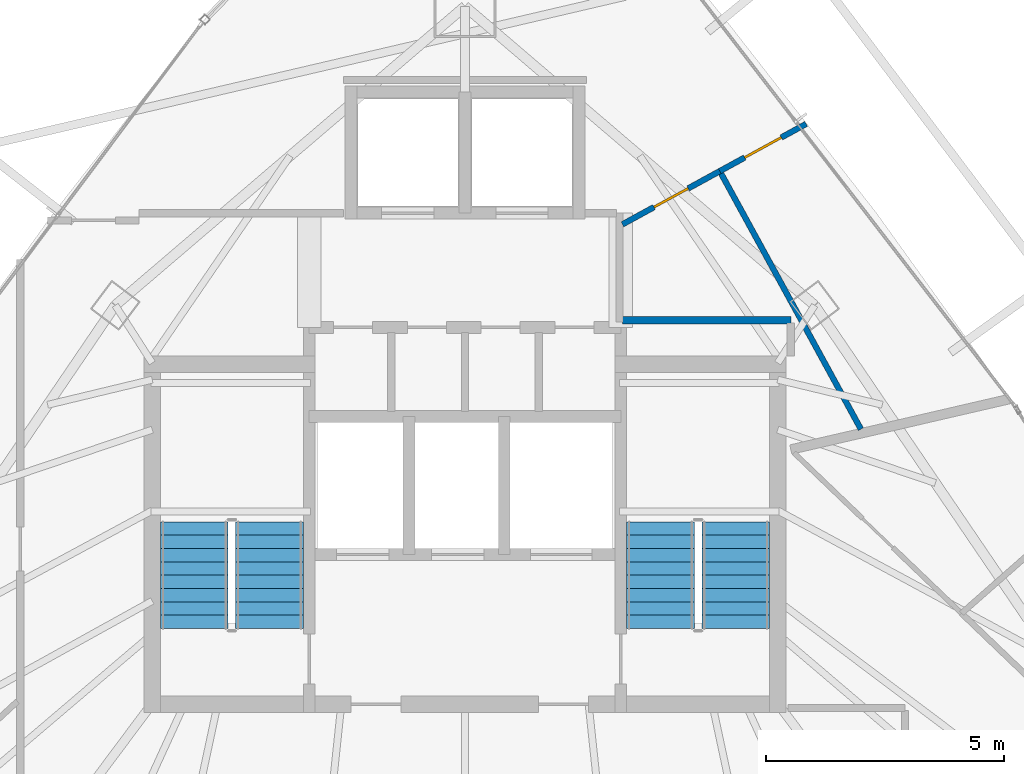
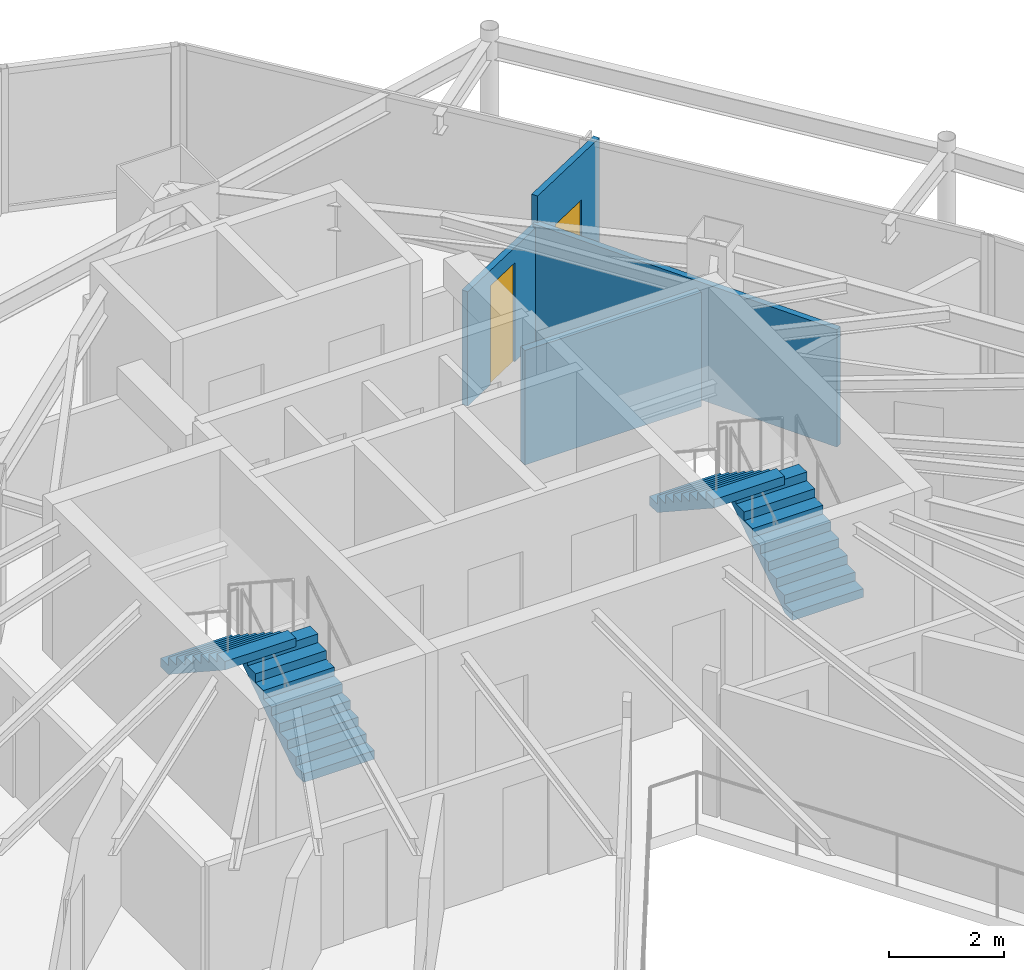
# One storey, part 29 of 32: 4 stair flights, 4 walls, 2 doors, 2 openings, 2 elements without a shape of their own.
"""IFC4 building model written with IfcOpenShell, lengths in metres."""

import ifcopenshell
import ifcopenshell.guid

model = None  # the IFC model being written
_history = None  # IfcOwnerHistory: only IFC2X3 demands one
_inside = {}  # id of a spatial element -> (the spatial element, [elements in it])
_under = {}  # id of a project, library or spatial element -> (it, [spatial elements below it])
_declared = {}  # id of a project -> (the project, [libraries it declares])
_typed = {}  # id of a type object -> (the type object, [elements of that type])
_made_of = {}  # id of a material, layer set ... -> (it, [elements and type objects made of it])


def new_model(schema):
    """Start an empty IFC model of exactly this schema.

    Asked for "IFC4X3", IfcOpenShell would pick the latest addendum, in which some entities
    have other attributes; the version numbers below select the first issue.
    IFC2X3 requires an IfcOwnerHistory on every rooted entity: one is made here for all.
    """
    global model, _history
    if schema == "IFC4X3":
        model = ifcopenshell.file(schema_version=(4, 3, 0, 0))
    else:
        model = ifcopenshell.file(schema=schema)
    _inside.clear()
    _under.clear()
    _declared.clear()
    _typed.clear()
    _made_of.clear()
    _history = None
    if model.schema == "IFC2X3":
        org = make("IfcOrganization", Name="unknown")
        user = make(
            "IfcPersonAndOrganization",
            ThePerson=make("IfcPerson", FamilyName="unknown"),
            TheOrganization=org,
        )
        app = make(
            "IfcApplication",
            ApplicationDeveloper=org,
            Version="unknown",
            ApplicationFullName="unknown",
            ApplicationIdentifier="unknown",
        )
        _history = make(
            "IfcOwnerHistory",
            OwningUser=user,
            OwningApplication=app,
            ChangeAction="ADDED",
            CreationDate=0,
        )
    return model


def make(cls, **values):
    """One entity of the class cls with the attributes given. An attribute that is None is left unset."""
    return model.create_entity(
        cls, **{name: value for name, value in values.items() if value is not None}
    )


def rooted(cls, **values):
    """An entity with a GlobalId (a new one), such as an element, a storey or a relation."""
    return make(cls, GlobalId=ifcopenshell.guid.new(), OwnerHistory=_history, **values)


def si_unit(unit_type, name, prefix=None):
    """IfcSIUnit, for example si_unit("LENGTHUNIT", "METRE", prefix="MILLI")."""
    return make("IfcSIUnit", UnitType=unit_type, Prefix=prefix, Name=name)


def assignment(units):
    """IfcUnitAssignment: the units of a project."""
    return None if units is None else make("IfcUnitAssignment", Units=units)


def point(xyz):
    """IfcCartesianPoint."""
    return None if xyz is None else make("IfcCartesianPoint", Coordinates=xyz)


def direction(xyz):
    """IfcDirection."""
    return None if xyz is None else make("IfcDirection", DirectionRatios=xyz)


def frame(location, z_axis=None, x_axis=None):
    """IfcAxis2Placement3D, a coordinate frame: its origin and axes. An axis left out is left unset."""
    return make(
        "IfcAxis2Placement3D",
        Location=point(location),
        Axis=direction(z_axis),
        RefDirection=direction(x_axis),
    )


def frame_2d(location, x_axis=None):
    """IfcAxis2Placement2D, a coordinate frame in the plane: its origin and x axis."""
    return make(
        "IfcAxis2Placement2D", Location=point(location), RefDirection=direction(x_axis)
    )


def origin():
    """The frame at (0, 0, 0) with its axes left unset."""
    return frame((0.0, 0.0, 0.0))


def place(relative_to, where):
    """IfcLocalPlacement: puts the frame where relative to a parent placement (None: the world)."""
    return make(
        "IfcLocalPlacement", PlacementRelTo=relative_to, RelativePlacement=where
    )


def context(
    kind, dimensions, precision=None, world=None, true_north=None, identifier=None
):
    """IfcGeometricRepresentationContext, for example the 3D "Model" context."""
    return make(
        "IfcGeometricRepresentationContext",
        ContextIdentifier=identifier,
        ContextType=kind,
        CoordinateSpaceDimension=dimensions,
        Precision=precision,
        WorldCoordinateSystem=world,
        TrueNorth=true_north,
    )


def subcontext(parent, identifier, kind, view, scale=None):
    """IfcGeometricRepresentationSubContext, for example "Body" below "Model"."""
    return make(
        "IfcGeometricRepresentationSubContext",
        ContextIdentifier=identifier,
        ContextType=kind,
        ParentContext=parent,
        TargetScale=scale,
        TargetView=view,
    )


def project(units=None, contexts=None):
    """IfcProject with its units and contexts."""
    return rooted(
        "IfcProject",
        Name="project",
        RepresentationContexts=contexts,
        UnitsInContext=assignment(units),
    )


def spatial(cls, under=None, at=None, **own):
    """A site, building, storey or space (cls), placed at a placement, below another one or the project."""
    s = rooted(cls, ObjectPlacement=at, **own)
    if under is not None:
        _under.setdefault(under.id(), (under, []))[1].append(s)
    return s


def polyline(points):
    """IfcPolyline through the points."""
    return make("IfcPolyline", Points=[point(p) for p in points])


def profile(cls, at=None, kind="AREA", **sizes):
    """A parametric profile (cls). Its sizes go by their IFC names, for example OverallWidth=200.0."""
    return make(cls, ProfileType=kind, Position=at, **sizes)


def rectangle(**sizes):
    """IfcRectangleProfileDef."""
    return profile("IfcRectangleProfileDef", **sizes)


def outline(outer, holes=None, kind="AREA"):
    """IfcArbitraryClosedProfileDef: a profile drawn as a closed curve; with holes, ...WithVoids."""
    if holes is None:
        return make("IfcArbitraryClosedProfileDef", ProfileType=kind, OuterCurve=outer)
    return make(
        "IfcArbitraryProfileDefWithVoids",
        ProfileType=kind,
        OuterCurve=outer,
        InnerCurves=holes,
    )


def extrude(swept, where, along, depth):
    """IfcExtrudedAreaSolid: the profile swept, set in the frame where, extruded along a direction by depth."""
    return make(
        "IfcExtrudedAreaSolid",
        SweptArea=swept,
        Position=where,
        ExtrudedDirection=direction(along),
        Depth=depth,
    )


def shape(context_of_items, identifier, shape_type, items):
    """IfcShapeRepresentation: the items that make up one representation, for example the "Body"."""
    return make(
        "IfcShapeRepresentation",
        ContextOfItems=context_of_items,
        RepresentationIdentifier=identifier,
        RepresentationType=shape_type,
        Items=items,
    )


def material(Name=None, Category=None):
    """IfcMaterial."""
    return make("IfcMaterial", Name=Name, Category=Category)


def layer(
    of_material, thickness, ventilated=None, Name=None, Category=None, Priority=None
):
    """IfcMaterialLayer: one layer of a wall or slab, of a material (None: an air gap)."""
    return make(
        "IfcMaterialLayer",
        Material=of_material,
        LayerThickness=thickness,
        IsVentilated=ventilated,
        Name=Name,
        Category=Category,
        Priority=Priority,
    )


def layer_set(layers, Name=None):
    """IfcMaterialLayerSet."""
    return make("IfcMaterialLayerSet", MaterialLayers=layers, LayerSetName=Name)


def made_of(thing, what):
    """Note that an element or type object is made of a material, layer set ...; save() writes the relation."""
    if what is not None:
        _made_of.setdefault(what.id(), (what, []))[1].append(thing)
    return thing


def type_object(cls, material=None, **own):
    """A type object (cls), such as IfcWallType, which elements share."""
    return made_of(rooted(cls, **own), material)


def element(
    cls,
    number,
    at=None,
    inside=None,
    cuts=None,
    type_object=None,
    material=None,
    context=None,
    identifier="Body",
    shape_type=None,
    held_by="IfcProductDefinitionShape",
    body=None,
    shapes=None,
    **own,
):
    """One element of the class cls, such as IfcWall. Its Tag is "e" and its number.

    at: its placement. inside: the storey or other place that contains it. cuts: it is an
    opening in that element (IfcRelVoidsElement). A single representation is given by context,
    identifier, shape_type and body (its items); several are given by shapes. held_by: the class
    of the entity that holds the representations. save() writes the other relations.
    """
    e = rooted(cls, Tag="e%d" % number, ObjectPlacement=at, **own)
    if body is not None:
        shapes = [shape(context, identifier, shape_type, body)]
    if shapes is not None:
        e.Representation = make(held_by, Representations=shapes)
    if inside is not None:
        _inside.setdefault(inside.id(), (inside, []))[1].append(e)
    if cuts is not None:
        rooted(
            "IfcRelVoidsElement", RelatingBuildingElement=cuts, RelatedOpeningElement=e
        )
    if type_object is not None:
        _typed.setdefault(type_object.id(), (type_object, []))[1].append(e)
    return made_of(e, material)


def fill(opening, filler):
    """IfcRelFillsElement: the door or window that sits in an opening."""
    return rooted(
        "IfcRelFillsElement",
        RelatingOpeningElement=opening,
        RelatedBuildingElement=filler,
    )


def aggregate(whole, parts):
    """IfcRelAggregates: a whole, such as a stair, and the parts it consists of."""
    return rooted("IfcRelAggregates", RelatingObject=whole, RelatedObjects=parts)


def save(model, path):
    """Write the relations noted so far, then the file.

    IfcRelAggregates (storeys below a building ...), IfcRelContainedInSpatialStructure (elements
    in a storey), IfcRelDefinesByType, IfcRelAssociatesMaterial and IfcRelDeclares: one each for
    every whole, place, type object, material and project.
    """
    for whole, parts in _under.values():
        aggregate(whole, parts)
    for where, things in _inside.values():
        rooted(
            "IfcRelContainedInSpatialStructure",
            RelatedElements=things,
            RelatingStructure=where,
        )
    for kind, things in _typed.values():
        rooted("IfcRelDefinesByType", RelatedObjects=things, RelatingType=kind)
    for what, things in _made_of.values():
        rooted("IfcRelAssociatesMaterial", RelatedObjects=things, RelatingMaterial=what)
    for by, libraries in _declared.values():
        rooted("IfcRelDeclares", RelatingContext=by, RelatedDefinitions=libraries)
    model.write(path)


model = new_model("IFC4")

# Units and contexts
model_context = context("Model", 3, precision=1e-05, world=origin(), true_north=direction((0.0, 1.0)))
body_context = subcontext(model_context, "Body", "Model", "MODEL_VIEW")
ifc_project = project(units=[si_unit("LENGTHUNIT", "METRE"), si_unit("AREAUNIT", "SQUARE_METRE"), si_unit("VOLUMEUNIT", "CUBIC_METRE"), si_unit("PLANEANGLEUNIT", "RADIAN"), si_unit("MASSUNIT", "GRAM", prefix="KILO")], contexts=[model_context])

# Site, building, storey
site_placement = place(None, origin())
site = spatial("IfcSite", under=ifc_project, at=site_placement, CompositionType="ELEMENT")
building_placement = place(site_placement, origin())
building = spatial("IfcBuilding", under=site, at=building_placement, Name="Orvanel Arch Residences", CompositionType="ELEMENT")
storey_placement = place(building_placement, frame((0.0, 0.0, 216.199951171875)))
storey = spatial("IfcBuildingStorey", under=building, at=storey_placement, Name="L61", CompositionType="ELEMENT", Elevation=216.199951171875)

# Wall
ifc_material_1 = material(Name="Fire-rated plasterboard lined steel stud partition", Category="steel")
ifc_layer_1 = layer(ifc_material_1, 0.14990234375)
ifc_layer_set_1 = layer_set([ifc_layer_1], Name="Fire-rated plasterboard lined steel stud partition")
wall_type_1 = type_object("IfcWallType", Name="W-COR-150", PredefinedType="PARTITIONING", material=ifc_layer_set_1)
wall_1_placement = place(storey_placement, frame((36.31005859375, 34.800048828125, 0.0), z_axis=(0.0, 0.0, 1.0), x_axis=(1.0, 0.0, 0.0)))
element("IfcWall", 1, at=wall_1_placement, inside=storey, type_object=wall_type_1, Name="L61 Core Perimeter Partition", PredefinedType="PARTITIONING", context=body_context, shape_type="SweptSolid", body=[
    extrude(rectangle(XDim=3.5400390625, YDim=0.14990234375, at=frame_2d((1.77001953125, 0.0))), origin(), (0.0, 0.0, 1.0), 2.425048828125),
])

# Wall, opening, door
ifc_material_2 = material(Name="Acoustic plasterboard lined twin-stud partition", Category="gypsum")
ifc_layer_2 = layer(ifc_material_2, 0.1201171875)
ifc_layer_set_2 = layer_set([ifc_layer_2], Name="Acoustic plasterboard lined twin-stud partition")
wall_type_2 = type_object("IfcWallType", Name="W-WET-120", PredefinedType="PARTITIONING", material=ifc_layer_set_2)
wall_2_placement = place(storey_placement, frame((38.35693359375, 37.93408203125, 0.0), z_axis=(0.0, 0.0, 1.0), x_axis=(-0.877415192217, -0.479731779714, 0.0)))
wall_2 = element("IfcWall", 2, at=wall_2_placement, inside=storey, type_object=wall_type_2, Name="L61 Studio E Bathroom Partition", PredefinedType="PARTITIONING", context=body_context, shape_type="SweptSolid", body=[
    extrude(rectangle(XDim=2.332763671875, YDim=0.1201171875, at=frame_2d((1.16650390625, 0.0))), origin(), (0.0, 0.0, 1.0), 2.425048828125),
])
opening_1_placement = place(wall_2_placement, frame((0.756103515625, 0.0, 0.0)))
opening_1 = element("IfcOpeningElement", 3, at=opening_1_placement, cuts=wall_2, Name="Opening DW-082", PredefinedType="OPENING", context=body_context, shape_type="SweptSolid", body=[
    extrude(rectangle(XDim=0.820068359375, YDim=2.10009765625, at=frame_2d((0.41015625, 1.050048828125))), frame((0.0, 0.070068359375, 0.0), z_axis=(0.0, -1.0, 0.0), x_axis=(1.0, 0.0, 0.0)), (0.0, 0.0, 1.0), 0.14013671875),
])
ifc_material_3 = material(Name="Solid-core European oak veneer fire door leaf", Category="wood")
door_type_1 = type_object("IfcDoorType", Name="DR-WET-820", OperationType="NOTDEFINED", PredefinedType="DOOR", material=ifc_material_3)
door_1_placement = place(opening_1_placement, origin())
door_1 = element("IfcDoor", 4, at=door_1_placement, inside=storey, type_object=door_type_1, Name="DR-L61-E-BATH L61 Studio E Bathroom Door", OperationType="SINGLE_SWING_RIGHT", OverallHeight=2.10009765625, OverallWidth=0.820068359375, PredefinedType="DOOR", context=body_context, shape_type="SweptSolid", body=[
    extrude(rectangle(XDim=0.820068359375, YDim=2.10009765625, at=frame_2d((0.41015625, 1.050048828125))), frame((0.0, 0.02490234375, 0.0), z_axis=(0.0, -1.0, 0.0), x_axis=(1.0, 0.0, 0.0)), (0.0, 0.0, 1.0), 0.050048828125),
])
fill(opening_1, door_1)

wall_3_placement = place(storey_placement, frame((40.172119140625, 38.927001953125, 0.0), z_axis=(0.0, 0.0, 1.0), x_axis=(-0.877322236726, -0.479901753432, 0.0)))
wall_3 = element("IfcWall", 5, at=wall_3_placement, inside=storey, type_object=wall_type_2, Name="L61 Studio E Internal Partition", PredefinedType="PARTITIONING", context=body_context, shape_type="SweptSolid", body=[
    extrude(rectangle(XDim=2.069091796875, YDim=0.1201171875, at=frame_2d((1.03466796875, 0.0))), origin(), (0.0, 0.0, 1.0), 3.06005859375),
])
opening_2_placement = place(wall_3_placement, frame((0.593994140625, 0.0, 0.0)))
opening_2 = element("IfcOpeningElement", 6, at=opening_2_placement, cuts=wall_3, Name="Opening DI-088", PredefinedType="OPENING", context=body_context, shape_type="SweptSolid", body=[
    extrude(rectangle(XDim=0.8798828125, YDim=2.10009765625, at=frame_2d((0.43994140625, 1.050048828125))), frame((0.0, 0.070068359375, 0.0), z_axis=(0.0, -1.0, 0.0), x_axis=(1.0, 0.0, 0.0)), (0.0, 0.0, 1.0), 0.14013671875),
])
door_type_2 = type_object("IfcDoorType", Name="DR-INT-880", OperationType="NOTDEFINED", PredefinedType="DOOR", material=ifc_material_3)
door_2_placement = place(opening_2_placement, origin())
door_2 = element("IfcDoor", 7, at=door_2_placement, inside=storey, type_object=door_type_2, Name="DR-L61-E-KIT L61 Studio E Kitchenette Door", OperationType="SINGLE_SWING_LEFT", OverallHeight=2.10009765625, OverallWidth=0.8798828125, PredefinedType="DOOR", context=body_context, shape_type="SweptSolid", body=[
    extrude(rectangle(XDim=0.8798828125, YDim=2.10009765625, at=frame_2d((0.43994140625, 1.050048828125))), frame((0.0, 0.02490234375, 0.0), z_axis=(0.0, -1.0, 0.0), x_axis=(1.0, 0.0, 0.0)), (0.0, 0.0, 1.0), 0.050048828125),
])
fill(opening_2, door_2)

# Wall
wall_4_placement = place(storey_placement, frame((38.35693359375, 37.93408203125, 0.0), z_axis=(0.0, 0.0, 1.0), x_axis=(0.479839410825, -0.877356335715, 0.0)))
element("IfcWall", 8, at=wall_4_placement, inside=storey, type_object=wall_type_2, Name="L61 Studio E Bathroom Partition", PredefinedType="PARTITIONING", context=body_context, shape_type="SweptSolid", body=[
    extrude(rectangle(XDim=6.183349609375, YDim=0.1201171875, at=frame_2d((3.091796875, 0.0))), origin(), (0.0, 0.0, 1.0), 2.491943359375),
])

# Stair, stair flights
ifc_material_4 = material(Name="Precast concrete N50 (50 MPa)", Category="concrete")
stair_type = type_object("IfcStairType", Name="STR-DOG-184", PredefinedType="USERDEFINED", material=ifc_material_4)
stair_1_placement = place(storey_placement, origin())
stair_1 = element("IfcStair", 9, at=stair_1_placement, inside=storey, type_object=stair_type, Name="L61 Fire-Isolated Core Exit Stair 1", ObjectType="TWO_RETURN_STAIR", PredefinedType="USERDEFINED")
stair_flight_type_1 = type_object("IfcStairFlightType", Name="SFL-C1-184", PredefinedType="STRAIGHT", material=ifc_material_4)
stair_flight_1_placement = place(storey_placement, frame((28.889892578125, 28.320068359375, 0.0), z_axis=(0.0, 0.0, 1.0), x_axis=(0.0, 1.0, 0.0)))
stair_flight_1 = element("IfcStairFlight", 10, at=stair_flight_1_placement, type_object=stair_flight_type_1, Name="ST-1 flight 1", NumberOfRisers=9, NumberOfTreads=8, PredefinedType="STRAIGHT", RiserHeight=0.183333333, TreadLength=0.28, context=body_context, shape_type="SweptSolid", body=[
    extrude(outline(polyline([(0.0, 0.0), (0.0, 0.183349609375), (0.280029296875, 0.183349609375), (0.280029296875, 0.36669921875), (0.56005859375, 0.36669921875), (0.56005859375, 0.550048828125), (0.840087890625, 0.550048828125), (0.840087890625, 0.7333984375), (1.1201171875, 0.7333984375), (1.1201171875, 0.916748046875), (1.39990234375, 0.916748046875), (1.39990234375, 1.10009765625), (1.679931640625, 1.10009765625), (1.679931640625, 1.283447265625), (1.9599609375, 1.283447265625), (1.9599609375, 1.466552734375), (2.239990234375, 1.466552734375), (2.239990234375, 1.64990234375), (2.239990234375, 1.28759765625), (0.273681640625, 0.0), (0.0, 0.0)])), frame((0.0, 0.7099609375, 0.0), z_axis=(0.0, -1.0, 0.0), x_axis=(1.0, 0.0, 0.0)), (0.0, 0.0, 1.0), 1.419921875),
])
stair_flight_2_placement = place(storey_placement, frame((27.31005859375, 30.56005859375, 1.650146484375), z_axis=(0.0, 0.0, 1.0), x_axis=(0.0, -1.0, 0.0)))
stair_flight_2 = element("IfcStairFlight", 11, at=stair_flight_2_placement, type_object=stair_flight_type_1, Name="ST-1 flight 2", NumberOfRisers=9, NumberOfTreads=8, PredefinedType="STRAIGHT", RiserHeight=0.183333333, TreadLength=0.28, context=body_context, shape_type="SweptSolid", body=[
    extrude(outline(polyline([(0.0, 0.0), (0.0, 0.183349609375), (0.280029296875, 0.183349609375), (0.280029296875, 0.36669921875), (0.56005859375, 0.36669921875), (0.56005859375, 0.550048828125), (0.840087890625, 0.550048828125), (0.840087890625, 0.7333984375), (1.1201171875, 0.7333984375), (1.1201171875, 0.916748046875), (1.39990234375, 0.916748046875), (1.39990234375, 1.10009765625), (1.679931640625, 1.10009765625), (1.679931640625, 1.283447265625), (1.9599609375, 1.283447265625), (1.9599609375, 1.466552734375), (2.239990234375, 1.466552734375), (2.239990234375, 1.64990234375), (2.239990234375, 1.28759765625), (0.273681640625, 0.0), (0.0, 0.0)])), frame((0.0, 0.7099609375, 0.0), z_axis=(0.0, -1.0, 0.0), x_axis=(1.0, 0.0, 0.0)), (0.0, 0.0, 1.0), 1.419921875),
])
aggregate(stair_1, [stair_flight_1, stair_flight_2])

stair_2_placement = place(storey_placement, origin())
stair_2 = element("IfcStair", 12, at=stair_2_placement, inside=storey, type_object=stair_type, Name="L61 Fire-Isolated Core Exit Stair 2", ObjectType="TWO_RETURN_STAIR", PredefinedType="USERDEFINED")
stair_flight_type_2 = type_object("IfcStairFlightType", Name="SFL-C2-184", PredefinedType="STRAIGHT", material=ifc_material_4)
stair_flight_3_placement = place(storey_placement, frame((38.68994140625, 28.320068359375, 0.0), z_axis=(0.0, 0.0, 1.0), x_axis=(0.0, 1.0, 0.0)))
stair_flight_3 = element("IfcStairFlight", 13, at=stair_flight_3_placement, type_object=stair_flight_type_2, Name="ST-2 flight 1", NumberOfRisers=9, NumberOfTreads=8, PredefinedType="STRAIGHT", RiserHeight=0.183333333, TreadLength=0.28, context=body_context, shape_type="SweptSolid", body=[
    extrude(outline(polyline([(0.0, 0.0), (0.0, 0.183349609375), (0.280029296875, 0.183349609375), (0.280029296875, 0.36669921875), (0.56005859375, 0.36669921875), (0.56005859375, 0.550048828125), (0.840087890625, 0.550048828125), (0.840087890625, 0.7333984375), (1.1201171875, 0.7333984375), (1.1201171875, 0.916748046875), (1.39990234375, 0.916748046875), (1.39990234375, 1.10009765625), (1.679931640625, 1.10009765625), (1.679931640625, 1.283447265625), (1.9599609375, 1.283447265625), (1.9599609375, 1.466552734375), (2.239990234375, 1.466552734375), (2.239990234375, 1.64990234375), (2.239990234375, 1.28759765625), (0.273681640625, 0.0), (0.0, 0.0)])), frame((0.0, 0.7099609375, 0.0), z_axis=(0.0, -1.0, 0.0), x_axis=(1.0, 0.0, 0.0)), (0.0, 0.0, 1.0), 1.419921875),
])
stair_flight_4_placement = place(storey_placement, frame((37.110107421875, 30.56005859375, 1.650146484375), z_axis=(0.0, 0.0, 1.0), x_axis=(0.0, -1.0, 0.0)))
stair_flight_4 = element("IfcStairFlight", 14, at=stair_flight_4_placement, type_object=stair_flight_type_2, Name="ST-2 flight 2", NumberOfRisers=9, NumberOfTreads=8, PredefinedType="STRAIGHT", RiserHeight=0.183333333, TreadLength=0.28, context=body_context, shape_type="SweptSolid", body=[
    extrude(outline(polyline([(0.0, 0.0), (0.0, 0.183349609375), (0.280029296875, 0.183349609375), (0.280029296875, 0.36669921875), (0.56005859375, 0.36669921875), (0.56005859375, 0.550048828125), (0.840087890625, 0.550048828125), (0.840087890625, 0.7333984375), (1.1201171875, 0.7333984375), (1.1201171875, 0.916748046875), (1.39990234375, 0.916748046875), (1.39990234375, 1.10009765625), (1.679931640625, 1.10009765625), (1.679931640625, 1.283447265625), (1.9599609375, 1.283447265625), (1.9599609375, 1.466552734375), (2.239990234375, 1.466552734375), (2.239990234375, 1.64990234375), (2.239990234375, 1.28759765625), (0.273681640625, 0.0), (0.0, 0.0)])), frame((0.0, 0.7099609375, 0.0), z_axis=(0.0, -1.0, 0.0), x_axis=(1.0, 0.0, 0.0)), (0.0, 0.0, 1.0), 1.419921875),
])
aggregate(stair_2, [stair_flight_3, stair_flight_4])

save(model, "model.ifc")
